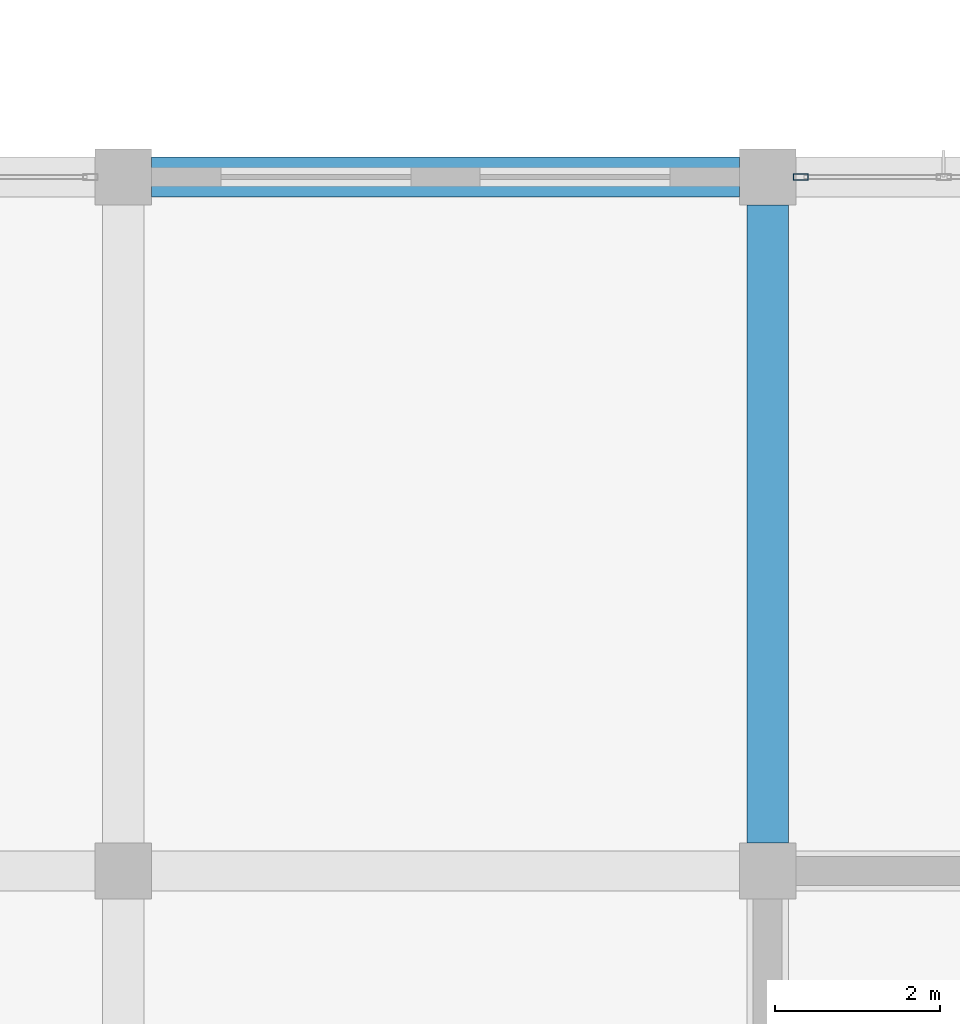
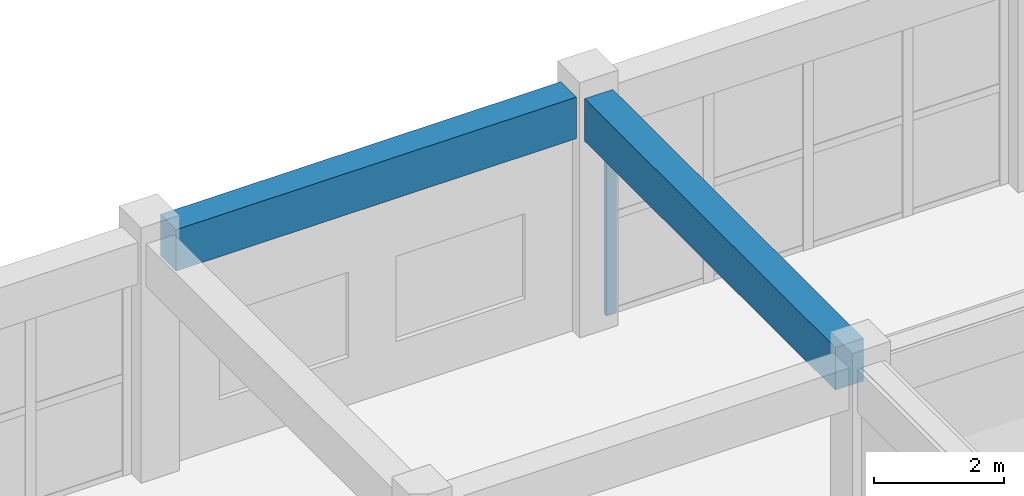
# One storey, part 115 of 175: 2 beams, 1 member, 1 element without a shape of its own.
"""IFC4 building model written with IfcOpenShell, lengths in metres."""

from ifc_helpers import new_model, si_unit, direction, frame, origin, origin_2d, place, context, subcontext, project, spatial, rectangle, hollow_rectangle, extrude, material, layer, layer_set, material_profile, profile_set, type_object, element, aggregate, save


model = new_model("IFC4")

# Units and contexts
model_context = context("Model", 3, precision=1e-05, world=origin(), true_north=direction((0.0, 1.0)))
body_context = subcontext(model_context, "Body", "Model", "MODEL_VIEW")
ifc_project = project(units=[si_unit("LENGTHUNIT", "METRE"), si_unit("AREAUNIT", "SQUARE_METRE"), si_unit("VOLUMEUNIT", "CUBIC_METRE"), si_unit("PLANEANGLEUNIT", "RADIAN"), si_unit("MASSUNIT", "GRAM", prefix="KILO")], contexts=[model_context])

# Site, building, storey
site_placement = place(None, origin())
site = spatial("IfcSite", under=ifc_project, at=site_placement, CompositionType="ELEMENT")
building_placement = place(site_placement, origin())
building = spatial("IfcBuilding", under=site, at=building_placement, Name="Zizhar Promenade General Hospital", CompositionType="ELEMENT")
storey_placement = place(building_placement, frame((0.0, 0.0, 4.800048828125)))
storey = spatial("IfcBuildingStorey", under=building, at=storey_placement, Name="L01", CompositionType="ELEMENT", Elevation=4.800048828125)

# Beams
ifc_material_1 = material(Name="Concrete C35/45", Category="concrete")
ifc_material_profile_1 = material_profile(ifc_material_1, rectangle(XDim=0.47998046875, YDim=0.780029296875, at=origin_2d()))
ifc_profile_set_1 = profile_set([ifc_material_profile_1], Name="Concrete C35/45")
beam_type_1 = type_object("IfcBeamType", Name="BM-RC-480x780", PredefinedType="BEAM", material=ifc_profile_set_1)
beam_1_placement = place(storey_placement, frame((164.139892578125, 109.199951171875, 4.079833984375), z_axis=(1.0, 0.0, 0.0), x_axis=(0.0, 1.0, 0.0)))
element("IfcBeam", 1, at=beam_1_placement, inside=storey, type_object=beam_type_1, Name="Grid Beam X L01 (21-13)", PredefinedType="BEAM", context=body_context, shape_type="SweptSolid", body=[
    extrude(rectangle(XDim=0.47998046875, YDim=0.780029296875, at=origin_2d()), origin(), (0.0, 0.0, 1.0), 7.1201171875),
])
ifc_material_2 = material(Name="Concrete C35/45", Category="concrete")
ifc_material_profile_2 = material_profile(ifc_material_2, rectangle(XDim=0.5, YDim=0.800048828125, at=origin_2d()))
ifc_profile_set_2 = profile_set([ifc_material_profile_2], Name="Concrete C35/45")
beam_type_2 = type_object("IfcBeamType", Name="BM-RC-500x800", PredefinedType="BEAM", material=ifc_profile_set_2)
beam_2_placement = place(storey_placement, frame((171.60009765625, 101.139892578125, 4.070068359375), z_axis=(0.0, 1.0, 0.0), x_axis=(-1.0, 0.0, 0.0)))
element("IfcBeam", 2, at=beam_2_placement, inside=storey, type_object=beam_type_2, Name="Grid Beam Y L01 (22-12)", PredefinedType="BEAM", context=body_context, shape_type="SweptSolid", body=[
    extrude(rectangle(XDim=0.5, YDim=0.800048828125, at=origin_2d()), origin(), (0.0, 0.0, 1.0), 7.72021484375),
])

# Curtain wall, member
ifc_material_3 = material(Name="Anodised aluminium 6063-T6 and low-E glass", Category="aluminium")
ifc_layer = layer(ifc_material_3, 0.159912109375)
ifc_layer_set = layer_set([ifc_layer], Name="Anodised aluminium 6063-T6 and low-E glass")
curtain_wall_type = type_object("IfcCurtainWallType", Name="CW-CLN-EXT", PredefinedType="NOTDEFINED", material=ifc_layer_set)
curtain_wall_placement = place(storey_placement, origin())
curtain_wall = element("IfcCurtainWall", 3, at=curtain_wall_placement, inside=storey, type_object=curtain_wall_type, Name="Outpatient North Curtain Wall L01-22", PredefinedType="NOTDEFINED")
ifc_material_4 = material(Name="Anodised aluminium 6063-T6", Category="aluminium")
ifc_material_profile_3 = material_profile(ifc_material_4, hollow_rectangle(XDim=0.080078125, YDim=0.179931640625, WallThickness=0.0048828125, at=origin_2d()))
ifc_profile_set_3 = profile_set([ifc_material_profile_3], Name="Anodised aluminium 6063-T6")
member_type = type_object("IfcMemberType", Name="CWM-ALU-180x80", PredefinedType="MULLION", material=ifc_profile_set_3)
member_placement = place(storey_placement, frame((172.0, 109.199951171875, 0.0), z_axis=(0.0, 0.0, 1.0), x_axis=(0.0, 1.0, 0.0)))
member = element("IfcMember", 4, at=member_placement, type_object=member_type, Name="CW-09 mullion 1", PredefinedType="MULLION", context=body_context, shape_type="SweptSolid", body=[
    extrude(hollow_rectangle(XDim=0.080078125, YDim=0.179931640625, WallThickness=0.0048828125, at=origin_2d()), origin(), (0.0, 0.0, 1.0), 3.679931640625),
])
aggregate(curtain_wall, [member])

save(model, "model.ifc")
